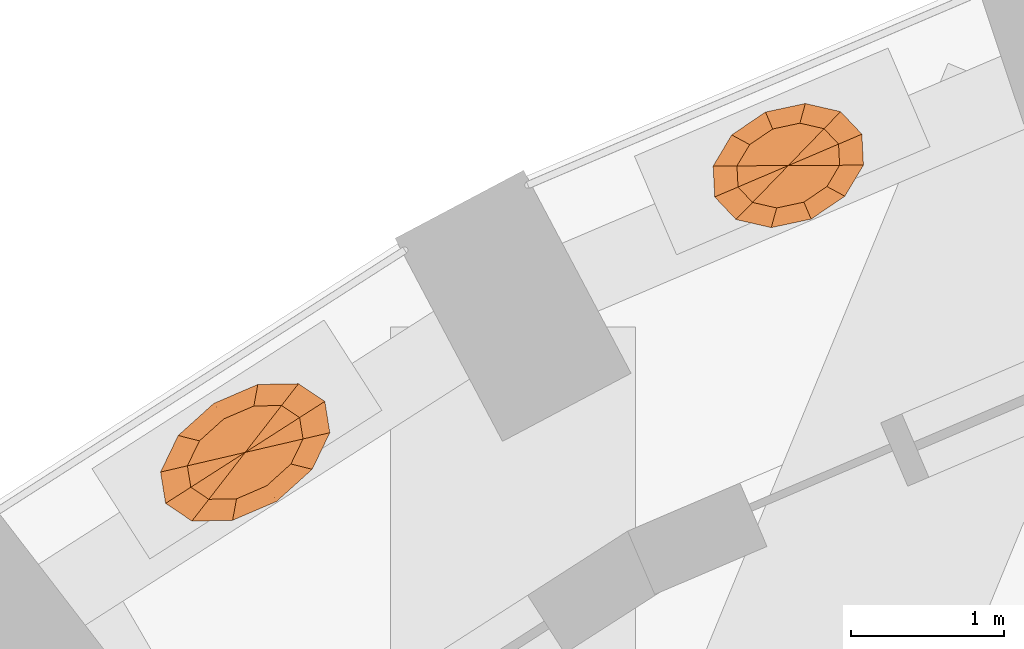
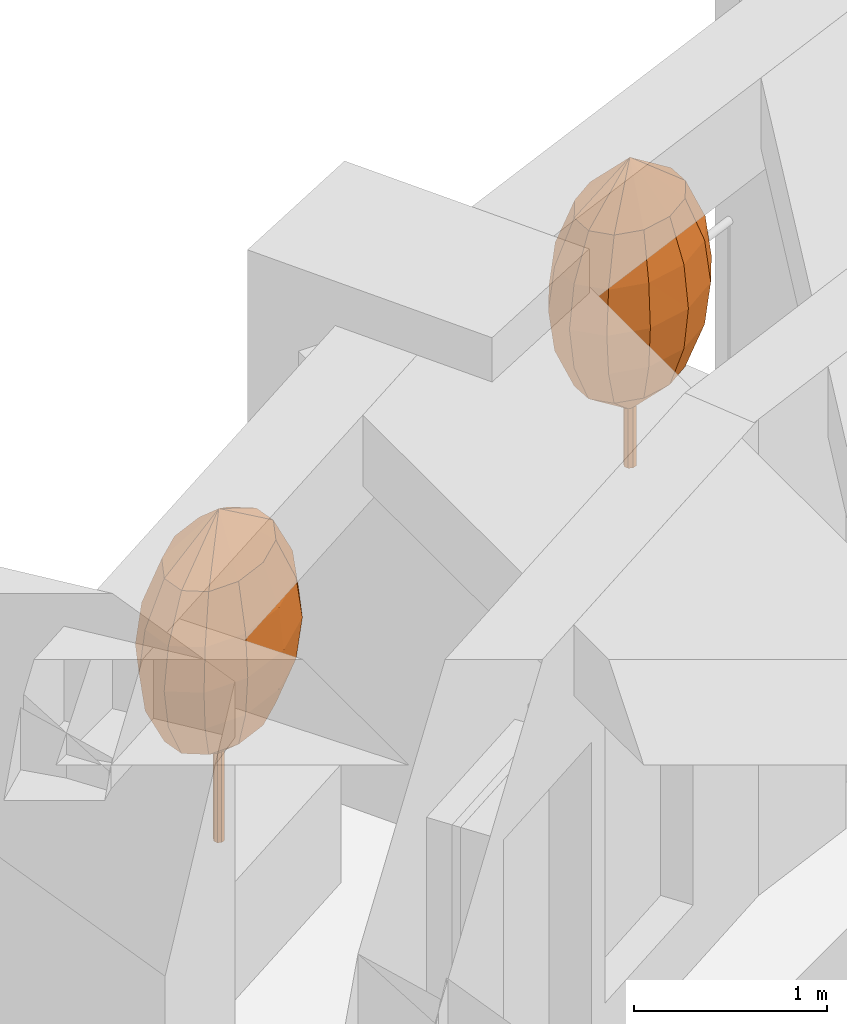
# One storey, part 12 of 12: 2 geographic elements.
"""IFC4 building model written with IfcOpenShell, lengths in metres."""

from ifc_helpers import new_model, si_unit, direction, frame, origin, place, context, subcontext, project, spatial, faceted_brep, material, constituent, constituent_set, type_object, element, save


model = new_model("IFC4")

# Units and contexts
model_context = context("Model", 3, precision=1e-05, world=origin(), true_north=direction((0.0, 1.0)))
body_context = subcontext(model_context, "Body", "Model", "MODEL_VIEW")
ifc_project = project(units=[si_unit("LENGTHUNIT", "METRE"), si_unit("AREAUNIT", "SQUARE_METRE"), si_unit("VOLUMEUNIT", "CUBIC_METRE"), si_unit("PLANEANGLEUNIT", "RADIAN"), si_unit("MASSUNIT", "GRAM", prefix="KILO")], contexts=[model_context])

# Site, building, storey
site_placement = place(None, origin())
site = spatial("IfcSite", under=ifc_project, at=site_placement, CompositionType="ELEMENT")
building_placement = place(site_placement, origin())
building = spatial("IfcBuilding", under=site, at=building_placement, Name="Taillehof Tower", CompositionType="ELEMENT")
storey_placement = place(building_placement, frame((0.0, 0.0, 171.5)))
storey = spatial("IfcBuildingStorey", under=building, at=storey_placement, Name="L48", CompositionType="ELEMENT", Elevation=171.5)

# Geographic elements
ifc_material_1 = material(Name="Tree bark", Category="timber")
ifc_constituent_1 = constituent(ifc_material_1, Name="Trunk", Category="timber")
ifc_material_2 = material(Name="Tree foliage")
ifc_constituent_2 = constituent(ifc_material_2, Name="Crown")
ifc_constituent_set_1 = constituent_set(constituents=[ifc_constituent_1, ifc_constituent_2], Name="Tree TR1 Columnar hornbeam")
geographic_element_type_1 = type_object("IfcGeographicElementType", Name="Tree TR1 Columnar hornbeam", PredefinedType="USERDEFINED", material=ifc_constituent_set_1)
geographic_element_1_placement = place(storey_placement, frame((-13.374267578125, 17.718994140625, 0.75)))
element("IfcGeographicElement", 1, at=geographic_element_1_placement, inside=storey, type_object=geographic_element_type_1, Name="Tree TR1 Columnar hornbeam", ObjectType="TREE", PredefinedType="USERDEFINED", context=body_context, shape_type="Brep", body=[
    faceted_brep([(0.030029296875, 0.0, 0.0), (0.021240234375, 0.021240234375, 0.0), (0.021240234375, 0.021240234375, 1.092529296875), (0.030029296875, 0.0, 1.092529296875), (0.0, 0.030029296875, 0.0), (0.0, 0.030029296875, 1.092529296875), (-0.021240234375, 0.021240234375, 0.0), (-0.021240234375, 0.021240234375, 1.092529296875), (-0.030029296875, 0.0, 0.0), (-0.030029296875, 0.0, 1.092529296875), (-0.021240234375, -0.021240234375, 0.0), (-0.021240234375, -0.021240234375, 1.092529296875), (0.0, -0.030029296875, 0.0), (0.0, -0.030029296875, 1.092529296875), (0.021240234375, -0.021240234375, 0.0), (0.021240234375, -0.021240234375, 1.092529296875)], [[[0, 1, 2, 3]], [[1, 4, 5, 2]], [[4, 6, 7, 5]], [[6, 8, 9, 7]], [[8, 10, 11, 9]], [[10, 12, 13, 11]], [[12, 14, 15, 13]], [[14, 0, 3, 15]], [[14, 12, 10, 8, 6, 4, 1, 0]], [[3, 2, 5, 7, 9, 11, 13, 15]]]),
    faceted_brep([(0.0, 0.0, 0.550048828125), (-0.237548828125, -0.306396484375, 0.808349609375), (-0.355224609375, -0.2275390625, 0.808349609375), (-0.056396484375, -0.302978515625, 0.808349609375), (0.139892578125, -0.218505859375, 0.808349609375), (0.298828125, -0.075439453125, 0.808349609375), (0.377685546875, 0.087646484375, 0.808349609375), (0.355224609375, 0.2275390625, 0.808349609375), (0.237548828125, 0.306396484375, 0.808349609375), (0.056396484375, 0.302978515625, 0.808349609375), (-0.139892578125, 0.218505859375, 0.808349609375), (-0.298828125, 0.075439453125, 0.808349609375), (-0.377685546875, -0.087646484375, 0.808349609375), (-0.3212890625, -0.414306640625, 1.066650390625), (-0.48046875, -0.3076171875, 1.066650390625), (-0.076171875, -0.409912109375, 1.066650390625), (0.189453125, -0.295654296875, 1.066650390625), (0.404296875, -0.10205078125, 1.066650390625), (0.5107421875, 0.11865234375, 1.066650390625), (0.48046875, 0.3076171875, 1.066650390625), (0.3212890625, 0.414306640625, 1.066650390625), (0.076171875, 0.409912109375, 1.066650390625), (-0.189453125, 0.295654296875, 1.066650390625), (-0.404296875, 0.10205078125, 1.066650390625), (-0.5107421875, -0.11865234375, 1.066650390625), (-0.347900390625, -0.448486328125, 1.324951171875), (-0.52001953125, -0.3330078125, 1.324951171875), (-0.08251953125, -0.443603515625, 1.324951171875), (0.205078125, -0.320068359375, 1.324951171875), (0.4375, -0.110595703125, 1.324951171875), (0.552734375, 0.12841796875, 1.324951171875), (0.52001953125, 0.3330078125, 1.324951171875), (0.347900390625, 0.448486328125, 1.324951171875), (0.08251953125, 0.443603515625, 1.324951171875), (-0.205078125, 0.320068359375, 1.324951171875), (-0.4375, 0.110595703125, 1.324951171875), (-0.552734375, -0.12841796875, 1.324951171875), (-0.3212890625, -0.414306640625, 1.583251953125), (-0.48046875, -0.3076171875, 1.583251953125), (-0.076171875, -0.409912109375, 1.583251953125), (0.189453125, -0.295654296875, 1.583251953125), (0.404296875, -0.10205078125, 1.583251953125), (0.5107421875, 0.11865234375, 1.583251953125), (0.48046875, 0.3076171875, 1.583251953125), (0.3212890625, 0.414306640625, 1.583251953125), (0.076171875, 0.409912109375, 1.583251953125), (-0.189453125, 0.295654296875, 1.583251953125), (-0.404296875, 0.10205078125, 1.583251953125), (-0.5107421875, -0.11865234375, 1.583251953125), (-0.237548828125, -0.306396484375, 1.841552734375), (-0.355224609375, -0.2275390625, 1.841552734375), (-0.056396484375, -0.302978515625, 1.841552734375), (0.139892578125, -0.218505859375, 1.841552734375), (0.298828125, -0.075439453125, 1.841552734375), (0.377685546875, 0.087646484375, 1.841552734375), (0.355224609375, 0.2275390625, 1.841552734375), (0.237548828125, 0.306396484375, 1.841552734375), (0.056396484375, 0.302978515625, 1.841552734375), (-0.139892578125, 0.218505859375, 1.841552734375), (-0.298828125, 0.075439453125, 1.841552734375), (-0.377685546875, -0.087646484375, 1.841552734375), (0.0, 0.0, 2.10009765625)], [[[0, 1, 2]], [[0, 3, 1]], [[0, 4, 3]], [[0, 5, 4]], [[0, 6, 5]], [[0, 7, 6]], [[0, 8, 7]], [[0, 9, 8]], [[0, 10, 9]], [[0, 11, 10]], [[0, 12, 11]], [[0, 2, 12]], [[2, 1, 13, 14]], [[1, 3, 15, 13]], [[3, 4, 16, 15]], [[4, 5, 17, 16]], [[5, 6, 18, 17]], [[6, 7, 19, 18]], [[7, 8, 20, 19]], [[8, 9, 21, 20]], [[9, 10, 22, 21]], [[10, 11, 23, 22]], [[11, 12, 24, 23]], [[12, 2, 14, 24]], [[14, 13, 25, 26]], [[13, 15, 27, 25]], [[15, 16, 28, 27]], [[16, 17, 29, 28]], [[17, 18, 30, 29]], [[18, 19, 31, 30]], [[19, 20, 32, 31]], [[20, 21, 33, 32]], [[21, 22, 34, 33]], [[22, 23, 35, 34]], [[23, 24, 36, 35]], [[24, 14, 26, 36]], [[26, 25, 37, 38]], [[25, 27, 39, 37]], [[27, 28, 40, 39]], [[28, 29, 41, 40]], [[29, 30, 42, 41]], [[30, 31, 43, 42]], [[31, 32, 44, 43]], [[32, 33, 45, 44]], [[33, 34, 46, 45]], [[34, 35, 47, 46]], [[35, 36, 48, 47]], [[36, 26, 38, 48]], [[38, 37, 49, 50]], [[37, 39, 51, 49]], [[39, 40, 52, 51]], [[40, 41, 53, 52]], [[41, 42, 54, 53]], [[42, 43, 55, 54]], [[43, 44, 56, 55]], [[44, 45, 57, 56]], [[45, 46, 58, 57]], [[46, 47, 59, 58]], [[47, 48, 60, 59]], [[48, 38, 50, 60]], [[50, 49, 61]], [[49, 51, 61]], [[51, 52, 61]], [[52, 53, 61]], [[53, 54, 61]], [[54, 55, 61]], [[55, 56, 61]], [[56, 57, 61]], [[57, 58, 61]], [[58, 59, 61]], [[59, 60, 61]], [[60, 50, 61]]]),
])
ifc_material_3 = material(Name="Tree bark", Category="timber")
ifc_constituent_3 = constituent(ifc_material_3, Name="Trunk", Category="timber")
ifc_material_4 = material(Name="Tree foliage")
ifc_constituent_4 = constituent(ifc_material_4, Name="Crown")
ifc_constituent_set_2 = constituent_set(constituents=[ifc_constituent_3, ifc_constituent_4], Name="Tree TR2 Fastigiate yew")
geographic_element_type_2 = type_object("IfcGeographicElementType", Name="Tree TR2 Fastigiate yew", PredefinedType="USERDEFINED", material=ifc_constituent_set_2)
geographic_element_2_placement = place(storey_placement, frame((-9.827392578125, 19.59228515625, 0.75)))
element("IfcGeographicElement", 2, at=geographic_element_2_placement, inside=storey, type_object=geographic_element_type_2, Name="Tree TR2 Fastigiate yew", ObjectType="TREE", PredefinedType="USERDEFINED", context=body_context, shape_type="Brep", body=[
    faceted_brep([(0.034912109375, 0.0, 0.0), (0.024658203125, 0.024658203125, 0.0), (0.024658203125, 0.024658203125, 0.909912109375), (0.034912109375, 0.0, 0.909912109375), (0.0, 0.034912109375, 0.0), (0.0, 0.034912109375, 0.909912109375), (-0.024658203125, 0.024658203125, 0.0), (-0.024658203125, 0.024658203125, 0.909912109375), (-0.034912109375, 0.0, 0.0), (-0.034912109375, 0.0, 0.909912109375), (-0.024658203125, -0.024658203125, 0.0), (-0.024658203125, -0.024658203125, 0.909912109375), (0.0, -0.034912109375, 0.0), (0.0, -0.034912109375, 0.909912109375), (0.024658203125, -0.024658203125, 0.0), (0.024658203125, -0.024658203125, 0.909912109375)], [[[0, 1, 2, 3]], [[1, 4, 5, 2]], [[4, 6, 7, 5]], [[6, 8, 9, 7]], [[8, 10, 11, 9]], [[10, 12, 13, 11]], [[12, 14, 15, 13]], [[14, 0, 3, 15]], [[14, 12, 10, 8, 6, 4, 1, 0]], [[3, 2, 5, 7, 9, 11, 13, 15]]]),
    faceted_brep([(0.0, 0.0, 0.35009765625), (-0.2333984375, -0.24072265625, 0.61669921875), (-0.328369140625, -0.14013671875, 0.61669921875), (-0.075927734375, -0.27685546875, 0.61669921875), (0.101806640625, -0.23876953125, 0.61669921875), (0.25244140625, -0.13671875, 0.61669921875), (0.335205078125, 0.001953125, 0.61669921875), (0.328369140625, 0.14013671875, 0.61669921875), (0.2333984375, 0.24072265625, 0.61669921875), (0.075927734375, 0.27685546875, 0.61669921875), (-0.101806640625, 0.23876953125, 0.61669921875), (-0.25244140625, 0.13671875, 0.61669921875), (-0.335205078125, -0.001953125, 0.61669921875), (-0.315673828125, -0.325439453125, 0.88330078125), (-0.444091796875, -0.189453125, 0.88330078125), (-0.102783203125, -0.374267578125, 0.88330078125), (0.1376953125, -0.322998046875, 0.88330078125), (0.34130859375, -0.18505859375, 0.88330078125), (0.453369140625, 0.002685546875, 0.88330078125), (0.444091796875, 0.189453125, 0.88330078125), (0.315673828125, 0.325439453125, 0.88330078125), (0.102783203125, 0.374267578125, 0.88330078125), (-0.1376953125, 0.322998046875, 0.88330078125), (-0.34130859375, 0.18505859375, 0.88330078125), (-0.453369140625, -0.002685546875, 0.88330078125), (-0.341552734375, -0.352294921875, 1.14990234375), (-0.480712890625, -0.205078125, 1.14990234375), (-0.111083984375, -0.4052734375, 1.14990234375), (0.149169921875, -0.349609375, 1.14990234375), (0.369384765625, -0.2001953125, 1.14990234375), (0.49072265625, 0.002685546875, 1.14990234375), (0.480712890625, 0.205078125, 1.14990234375), (0.341552734375, 0.352294921875, 1.14990234375), (0.111083984375, 0.4052734375, 1.14990234375), (-0.149169921875, 0.349609375, 1.14990234375), (-0.369384765625, 0.2001953125, 1.14990234375), (-0.49072265625, -0.002685546875, 1.14990234375), (-0.315673828125, -0.325439453125, 1.416748046875), (-0.444091796875, -0.189453125, 1.416748046875), (-0.102783203125, -0.374267578125, 1.416748046875), (0.1376953125, -0.322998046875, 1.416748046875), (0.34130859375, -0.18505859375, 1.416748046875), (0.453369140625, 0.002685546875, 1.416748046875), (0.444091796875, 0.189453125, 1.416748046875), (0.315673828125, 0.325439453125, 1.416748046875), (0.102783203125, 0.374267578125, 1.416748046875), (-0.1376953125, 0.322998046875, 1.416748046875), (-0.34130859375, 0.18505859375, 1.416748046875), (-0.453369140625, -0.002685546875, 1.416748046875), (-0.2333984375, -0.24072265625, 1.683349609375), (-0.328369140625, -0.14013671875, 1.683349609375), (-0.075927734375, -0.27685546875, 1.683349609375), (0.101806640625, -0.23876953125, 1.683349609375), (0.25244140625, -0.13671875, 1.683349609375), (0.335205078125, 0.001953125, 1.683349609375), (0.328369140625, 0.14013671875, 1.683349609375), (0.2333984375, 0.24072265625, 1.683349609375), (0.075927734375, 0.27685546875, 1.683349609375), (-0.101806640625, 0.23876953125, 1.683349609375), (-0.25244140625, 0.13671875, 1.683349609375), (-0.335205078125, -0.001953125, 1.683349609375), (0.0, 0.0, 1.949951171875)], [[[0, 1, 2]], [[0, 3, 1]], [[0, 4, 3]], [[0, 5, 4]], [[0, 6, 5]], [[0, 7, 6]], [[0, 8, 7]], [[0, 9, 8]], [[0, 10, 9]], [[0, 11, 10]], [[0, 12, 11]], [[0, 2, 12]], [[2, 1, 13, 14]], [[1, 3, 15, 13]], [[3, 4, 16, 15]], [[4, 5, 17, 16]], [[5, 6, 18, 17]], [[6, 7, 19, 18]], [[7, 8, 20, 19]], [[8, 9, 21, 20]], [[9, 10, 22, 21]], [[10, 11, 23, 22]], [[11, 12, 24, 23]], [[12, 2, 14, 24]], [[14, 13, 25, 26]], [[13, 15, 27, 25]], [[15, 16, 28, 27]], [[16, 17, 29, 28]], [[17, 18, 30, 29]], [[18, 19, 31, 30]], [[19, 20, 32, 31]], [[20, 21, 33, 32]], [[21, 22, 34, 33]], [[22, 23, 35, 34]], [[23, 24, 36, 35]], [[24, 14, 26, 36]], [[26, 25, 37, 38]], [[25, 27, 39, 37]], [[27, 28, 40, 39]], [[28, 29, 41, 40]], [[29, 30, 42, 41]], [[30, 31, 43, 42]], [[31, 32, 44, 43]], [[32, 33, 45, 44]], [[33, 34, 46, 45]], [[34, 35, 47, 46]], [[35, 36, 48, 47]], [[36, 26, 38, 48]], [[38, 37, 49, 50]], [[37, 39, 51, 49]], [[39, 40, 52, 51]], [[40, 41, 53, 52]], [[41, 42, 54, 53]], [[42, 43, 55, 54]], [[43, 44, 56, 55]], [[44, 45, 57, 56]], [[45, 46, 58, 57]], [[46, 47, 59, 58]], [[47, 48, 60, 59]], [[48, 38, 50, 60]], [[50, 49, 61]], [[49, 51, 61]], [[51, 52, 61]], [[52, 53, 61]], [[53, 54, 61]], [[54, 55, 61]], [[55, 56, 61]], [[56, 57, 61]], [[57, 58, 61]], [[58, 59, 61]], [[59, 60, 61]], [[60, 50, 61]]]),
])

save(model, "model.ifc")
